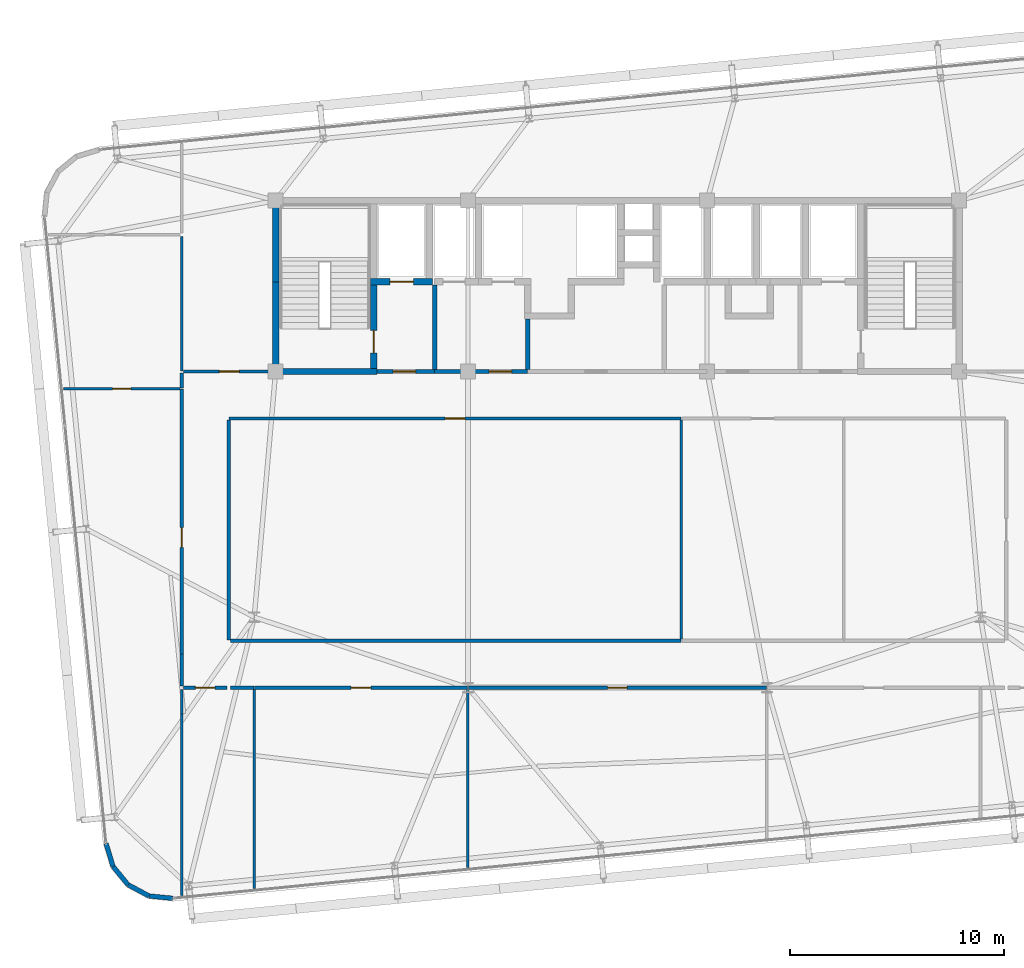
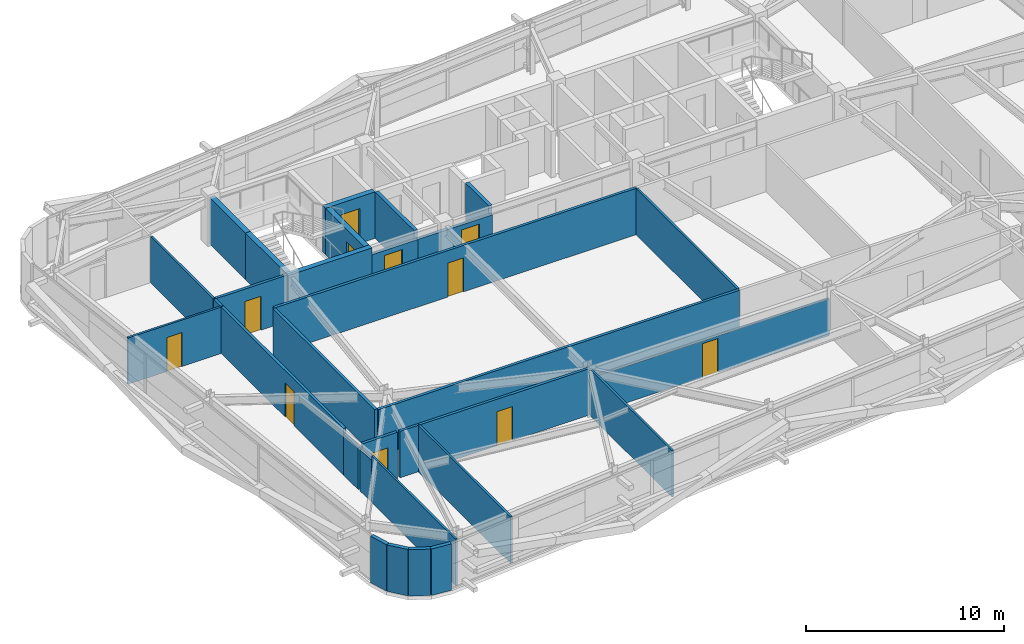
# One storey, part 41 of 47: 31 walls, 11 doors, 11 openings.
"""IFC4 building model written with IfcOpenShell, lengths in metres."""

from ifc_helpers import new_model, si_unit, direction, frame, frame_2d, origin, place, context, subcontext, project, spatial, rectangle, extrude, source, transform, mapped, material, layer, layer_set, type_object, element, fill, save


model = new_model("IFC4")

# Units and contexts
model_context = context("Model", 3, precision=1e-05, world=origin(), true_north=direction((0.0, 1.0)))
body_context = subcontext(model_context, "Body", "Model", "MODEL_VIEW")
ifc_project = project(units=[si_unit("LENGTHUNIT", "METRE"), si_unit("AREAUNIT", "SQUARE_METRE"), si_unit("VOLUMEUNIT", "CUBIC_METRE"), si_unit("PLANEANGLEUNIT", "RADIAN"), si_unit("MASSUNIT", "GRAM", prefix="KILO")], contexts=[model_context])

# Site, building, storey
site_placement = place(None, origin())
site = spatial("IfcSite", under=ifc_project, at=site_placement, CompositionType="ELEMENT")
building_placement = place(site_placement, origin())
building = spatial("IfcBuilding", under=site, at=building_placement, Name="Taldren Reach Tower", CompositionType="ELEMENT")
storey_placement = place(building_placement, frame((0.0, 0.0, 109.199951171875)))
storey = spatial("IfcBuildingStorey", under=building, at=storey_placement, Name="L33", CompositionType="ELEMENT", Elevation=109.199951171875)

# Walls
ifc_material_1 = material(Name="Pale Champagne Anodised Aluminium Cladding", Category="aluminium")
ifc_layer_1 = layer(ifc_material_1, 0.04, Name="Pale Champagne Anodised Aluminium Cladding", Category="aluminium")
ifc_material_2 = material(Name="Mineral Wool Acoustic Insulation", Category="insulation")
ifc_layer_2 = layer(ifc_material_2, 0.06, Name="Mineral Wool Acoustic Insulation", Category="insulation")
ifc_material_3 = material(Name="Steel Gr 350 (C350L0)", Category="steel")
ifc_layer_3 = layer(ifc_material_3, 0.12, Name="Steel Gr 350 (C350L0)", Category="steel")
ifc_layer_set_1 = layer_set([ifc_layer_1, ifc_layer_2, ifc_layer_3], Name="Pale Champagne Aluminium Cladding and Steel Gr 350 Stud Framing")
wall_type_1 = type_object("IfcWallType", Name="EW-CRN-220", PredefinedType="SOLIDWALL", material=ifc_layer_set_1)
shared_shape_1 = source(origin(), body_context, "Body", "SweptSolid", [
    extrude(rectangle(XDim=1.115966796875, YDim=0.219970703125, at=frame_2d((0.55810546875, 0.0))), origin(), (0.0, 0.0, 1.0), 2.8701171875),
])
for number, where, z_axis, x_axis, name in (
    (1, (11.062255859375, 1.90185546875, 0.0), (0.0, 0.0, 1.0), (0.289855603468, -0.957070388811, 0.0), "Rounded-corner pale-metal facade wall L33-SW1"),
    (2, (11.3857421875, 0.833740234375, 0.0), (0.0, 0.0, 1.0), (0.633988016432, -0.773342870285, 0.0), "Rounded-corner pale-metal facade wall L33-SW2"),
    (3, (13.0771484375, -0.5556640625, 0.0), (0.0, 0.0, 1.0), (0.995142755671, -0.09844234778, 0.0), "Rounded-corner pale-metal facade wall L33-SW4"),
):
    element("IfcWall", number, at=place(storey_placement, frame(where, z_axis=z_axis, x_axis=x_axis)), inside=storey, type_object=wall_type_1, Name=name, PredefinedType="SOLIDWALL", context=body_context, shape_type="MappedRepresentation", body=[
        mapped(shared_shape_1, transform((0.0, 0.0, 0.0), scale=1.0)),
    ])
shared_shape_2 = source(origin(), body_context, "Body", "SweptSolid", [
    extrude(rectangle(XDim=1.11572265625, YDim=0.219970703125, at=frame_2d((0.557861328125, 0.0))), origin(), (0.0, 0.0, 1.0), 2.8701171875),
])
wall_1_placement = place(storey_placement, frame((12.09326171875, -0.029296875, 0.0), z_axis=(0.0, 0.0, 1.0), x_axis=(0.881746547635, -0.471723463201, 0.0)))
element("IfcWall", 4, at=wall_1_placement, inside=storey, type_object=wall_type_1, Name="Rounded-corner pale-metal facade wall L33-SW3", PredefinedType="SOLIDWALL", context=body_context, shape_type="MappedRepresentation", body=[
    mapped(shared_shape_2, transform((0.0, 0.0, 0.0), scale=1.0)),
])
ifc_material_4 = material(Name="Fire-Rated Acoustic Plasterboard Stud Wall", Category="gypsum")
ifc_layer_4 = layer(ifc_material_4, 0.159912109375)
ifc_layer_set_2 = layer_set([ifc_layer_4], Name="Fire-Rated Acoustic Plasterboard Stud Wall")
wall_type_2 = type_object("IfcWallType", Name="IW-FIRE-160", PredefinedType="PARTITIONING", material=ifc_layer_set_2)
shared_shape_3 = source(origin(), body_context, "Body", "SweptSolid", [
    extrude(rectangle(XDim=10.2998046875, YDim=0.159912109375, at=frame_2d((5.14990234375, 0.0))), origin(), (0.0, 0.0, 1.0), 2.8701171875),
])
wall_2_placement = place(storey_placement, frame((16.800048828125, 21.719970703125, 0.0), z_axis=(0.0, 0.0, 1.0), x_axis=(0.0, -1.0, 0.0)))
element("IfcWall", 5, at=wall_2_placement, inside=storey, type_object=wall_type_2, Name="Interior Partition Wall W-INT-L33-046", PredefinedType="PARTITIONING", context=body_context, shape_type="MappedRepresentation", body=[
    mapped(shared_shape_3, transform((0.0, 0.0, 0.0), scale=1.0)),
])

# Wall, opening, door
shared_shape_4 = source(origin(), body_context, "Body", "SweptSolid", [
    extrude(rectangle(XDim=9.95947265625, YDim=0.159912109375, at=frame_2d((4.979736328125, 0.0))), origin(), (0.0, 0.0, 1.0), 2.8701171875),
])
wall_3_placement = place(storey_placement, frame((27.979736328125, 9.199951171875, 0.0), z_axis=(0.0, 0.0, 1.0), x_axis=(-1.0, 0.0, 0.0)))
wall_3 = element("IfcWall", 6, at=wall_3_placement, inside=storey, type_object=wall_type_2, Name="Interior Partition Wall W-INT-L33-061", PredefinedType="PARTITIONING", context=body_context, shape_type="MappedRepresentation", body=[
    mapped(shared_shape_4, transform((0.0, 0.0, 0.0), scale=1.0)),
])
shared_shape_5 = source(origin(), body_context, "Body", "SweptSolid", [
    extrude(rectangle(XDim=0.919921875, YDim=2.10009765625, at=frame_2d((0.4599609375, 1.050048828125))), frame((0.0, 0.08984375, 0.0), z_axis=(0.0, -1.0, 0.0), x_axis=(1.0, 0.0, 0.0)), (0.0, 0.0, 1.0), 0.179931640625),
])
opening_1_placement = place(wall_3_placement, frame((4.519775390625, 0.0, 0.0)))
opening_1 = element("IfcOpeningElement", 7, at=opening_1_placement, cuts=wall_3, Name="Opening DI-092", PredefinedType="OPENING", context=body_context, shape_type="MappedRepresentation", body=[
    mapped(shared_shape_5, transform((0.0, 0.0, 0.0), scale=1.0)),
])
ifc_material_5 = material(Name="Solid-Core Timber Suite Door", Category="wood")
door_type_1 = type_object("IfcDoorType", Name="ID-INT-092", OperationType="NOTDEFINED", PredefinedType="DOOR", material=ifc_material_5)
shared_shape_6 = source(origin(), body_context, "Body", "SweptSolid", [
    extrude(rectangle(XDim=0.919921875, YDim=2.10009765625, at=frame_2d((0.4599609375, 1.050048828125))), frame((0.0, 0.02490234375, 0.0), z_axis=(0.0, -1.0, 0.0), x_axis=(1.0, 0.0, 0.0)), (0.0, 0.0, 1.0), 0.050048828125),
])
door_1_placement = place(opening_1_placement, origin())
door_1 = element("IfcDoor", 8, at=door_1_placement, inside=storey, type_object=door_type_1, Name="Interior Door DR-L33-016", OperationType="SINGLE_SWING_LEFT", OverallHeight=2.10009765625, OverallWidth=0.919921875, PredefinedType="DOOR", context=body_context, shape_type="MappedRepresentation", body=[
    mapped(shared_shape_6, transform((0.0, 0.0, 0.0), scale=1.0)),
])
fill(opening_1, door_1)

shared_shape_7 = source(origin(), body_context, "Body", "SweptSolid", [
    extrude(rectangle(XDim=2.0400390625, YDim=0.159912109375, at=frame_2d((1.02001953125, 0.0))), origin(), (0.0, 0.0, 1.0), 2.8701171875),
])
wall_4_placement = place(storey_placement, frame((16.719970703125, 9.199951171875, 0.0), z_axis=(0.0, 0.0, 1.0), x_axis=(-1.0, 0.0, 0.0)))
wall_4 = element("IfcWall", 9, at=wall_4_placement, inside=storey, type_object=wall_type_2, Name="Interior Partition Wall W-INT-L33-050", PredefinedType="PARTITIONING", context=body_context, shape_type="MappedRepresentation", body=[
    mapped(shared_shape_7, transform((0.0, 0.0, 0.0), scale=1.0)),
])
opening_2_placement = place(wall_4_placement, frame((0.56005859375, 0.0, 0.0)))
opening_2 = element("IfcOpeningElement", 10, at=opening_2_placement, cuts=wall_4, Name="Opening DI-092", PredefinedType="OPENING", context=body_context, shape_type="MappedRepresentation", body=[
    mapped(shared_shape_5, transform((0.0, 0.0, 0.0), scale=1.0)),
])
door_2_placement = place(opening_2_placement, origin())
door_2 = element("IfcDoor", 11, at=door_2_placement, inside=storey, type_object=door_type_1, Name="Interior Door DR-L33-011", OperationType="SINGLE_SWING_RIGHT", OverallHeight=2.10009765625, OverallWidth=0.919921875, PredefinedType="DOOR", context=body_context, shape_type="MappedRepresentation", body=[
    mapped(shared_shape_6, transform((0.0, 0.0, 0.0), scale=1.0)),
])
fill(opening_2, door_2)

# Wall
shared_shape_8 = source(origin(), body_context, "Body", "SweptSolid", [
    extrude(rectangle(XDim=1.099853515625, YDim=0.159912109375, at=frame_2d((0.5498046875, 0.0))), origin(), (0.0, 0.0, 1.0), 2.8701171875),
])
wall_5_placement = place(storey_placement, frame((17.979736328125, 9.199951171875, 0.0), z_axis=(0.0, 0.0, 1.0), x_axis=(-1.0, 0.0, 0.0)))
element("IfcWall", 12, at=wall_5_placement, inside=storey, type_object=wall_type_2, Name="Interior Partition Wall W-INT-L33-060", PredefinedType="PARTITIONING", context=body_context, shape_type="MappedRepresentation", body=[
    mapped(shared_shape_8, transform((0.0, 0.0, 0.0), scale=1.0)),
])

# Wall, opening, door
shared_shape_9 = source(origin(), body_context, "Body", "SweptSolid", [
    extrude(rectangle(XDim=13.95947265625, YDim=0.159912109375, at=frame_2d((6.979736328125, 0.0))), origin(), (0.0, 0.0, 1.0), 2.26806640625),
])
wall_6_placement = place(storey_placement, frame((41.979736328125, 9.199951171875, 0.0), z_axis=(0.0, 0.0, 1.0), x_axis=(-1.0, 0.0, 0.0)))
wall_6 = element("IfcWall", 13, at=wall_6_placement, inside=storey, type_object=wall_type_2, Name="Interior Partition Wall W-INT-L33-062", PredefinedType="PARTITIONING", context=body_context, shape_type="MappedRepresentation", body=[
    mapped(shared_shape_9, transform((0.0, 0.0, 0.0), scale=1.0)),
])
opening_3_placement = place(wall_6_placement, frame((6.519775390625, 0.0, 0.0)))
opening_3 = element("IfcOpeningElement", 14, at=opening_3_placement, cuts=wall_6, Name="Opening DI-092", PredefinedType="OPENING", context=body_context, shape_type="MappedRepresentation", body=[
    mapped(shared_shape_5, transform((0.0, 0.0, 0.0), scale=1.0)),
])
door_3_placement = place(opening_3_placement, origin())
door_3 = element("IfcDoor", 15, at=door_3_placement, inside=storey, type_object=door_type_1, Name="Interior Door DR-L33-017", OperationType="SINGLE_SWING_RIGHT", OverallHeight=2.10009765625, OverallWidth=0.919921875, PredefinedType="DOOR", context=body_context, shape_type="MappedRepresentation", body=[
    mapped(shared_shape_6, transform((0.0, 0.0, 0.0), scale=1.0)),
])
fill(opening_3, door_3)

# Walls
ifc_material_6 = material(Name="Insulated Residential Stud Partition", Category="gypsum")
ifc_layer_5 = layer(ifc_material_6, 0.1201171875)
ifc_layer_set_3 = layer_set([ifc_layer_5], Name="Insulated Residential Stud Partition")
wall_type_3 = type_object("IfcWallType", Name="IW-PART-120", PredefinedType="PARTITIONING", material=ifc_layer_set_3)
shared_shape_10 = source(origin(), body_context, "Body", "SweptSolid", [
    extrude(rectangle(XDim=10.239990234375, YDim=0.1201171875, at=frame_2d((5.1201171875, 0.0))), origin(), (0.0, 0.0, 1.0), 2.8701171875),
])
wall_7_placement = place(storey_placement, frame((38.0, 21.719970703125, 0.0), z_axis=(0.0, 0.0, 1.0), x_axis=(0.0, -1.0, 0.0)))
element("IfcWall", 16, at=wall_7_placement, inside=storey, type_object=wall_type_3, Name="Interior Partition Wall W-INT-L33-065", PredefinedType="PARTITIONING", context=body_context, shape_type="MappedRepresentation", body=[
    mapped(shared_shape_10, transform((0.0, 0.0, 0.0), scale=1.0)),
])
ifc_material_7 = material(Name="Concrete S65 (65 MPa)", Category="concrete")
ifc_layer_6 = layer(ifc_material_7, 0.300048828125)
ifc_layer_set_4 = layer_set([ifc_layer_6], Name="Concrete S65 (65 MPa)")
wall_type_4 = type_object("IfcWallType", Name="IW-CORE-300", PredefinedType="SHEAR", material=ifc_layer_set_4)
shared_shape_11 = source(origin(), body_context, "Body", "SweptSolid", [
    extrude(rectangle(XDim=4.050048828125, YDim=0.300048828125, at=frame_2d((2.02490234375, 0.0))), origin(), (0.0, 0.0, 1.0), 2.8701171875),
])
wall_8_placement = place(storey_placement, frame((19.0, 24.14990234375, 0.0), z_axis=(0.0, 0.0, 1.0), x_axis=(0.0, 1.0, 0.0)))
element("IfcWall", 17, at=wall_8_placement, inside=storey, type_object=wall_type_4, Name="Rear Core Shear Wall W-CORE-L33-WEST1", PredefinedType="SHEAR", context=body_context, shape_type="MappedRepresentation", body=[
    mapped(shared_shape_11, transform((0.0, 0.0, 0.0), scale=1.0)),
])
shared_shape_12 = source(origin(), body_context, "Body", "SweptSolid", [
    extrude(rectangle(XDim=3.650146484375, YDim=0.300048828125, at=frame_2d((1.8251953125, 0.0))), origin(), (0.0, 0.0, 1.0), 2.8701171875),
])
wall_9_placement = place(storey_placement, frame((19.0, 28.199951171875, 0.0), z_axis=(0.0, 0.0, 1.0), x_axis=(0.0, 1.0, 0.0)))
element("IfcWall", 18, at=wall_9_placement, inside=storey, type_object=wall_type_4, Name="Rear Core Shear Wall W-CORE-L33-WEST2", PredefinedType="SHEAR", context=body_context, shape_type="MappedRepresentation", body=[
    mapped(shared_shape_12, transform((0.0, 0.0, 0.0), scale=1.0)),
])

# Wall, opening, door
shared_shape_13 = source(origin(), body_context, "Body", "SweptSolid", [
    extrude(rectangle(XDim=3.900146484375, YDim=0.300048828125, at=frame_2d((1.9501953125, 0.0))), origin(), (0.0, 0.0, 1.0), 2.8701171875),
])
wall_10_placement = place(storey_placement, frame((23.60009765625, 24.14990234375, 0.0), z_axis=(0.0, 0.0, 1.0), x_axis=(0.0, 1.0, 0.0)))
wall_10 = element("IfcWall", 19, at=wall_10_placement, inside=storey, type_object=wall_type_4, Name="Rear Core Shear Wall W-INT-L33-002", PredefinedType="SHEAR", context=body_context, shape_type="MappedRepresentation", body=[
    mapped(shared_shape_13, transform((0.0, 0.0, 0.0), scale=1.0)),
])
shared_shape_14 = source(origin(), body_context, "Body", "SweptSolid", [
    extrude(rectangle(XDim=1.050048828125, YDim=2.10009765625, at=frame_2d((0.52490234375, 1.050048828125))), frame((0.0, 0.16015625, 0.0), z_axis=(0.0, -1.0, 0.0), x_axis=(1.0, 0.0, 0.0)), (0.0, 0.0, 1.0), 0.320068359375),
])
opening_4_placement = place(wall_10_placement, frame((0.72509765625, 0.0, 0.0)))
opening_4 = element("IfcOpeningElement", 20, at=opening_4_placement, cuts=wall_10, Name="Opening DF-105", PredefinedType="OPENING", context=body_context, shape_type="MappedRepresentation", body=[
    mapped(shared_shape_14, transform((0.0, 0.0, 0.0), scale=1.0)),
])
ifc_material_8 = material(Name="Fire-Rated Care and Stair Exit Door")
door_type_2 = type_object("IfcDoorType", Name="ID-FIRE-105", OperationType="NOTDEFINED", PredefinedType="DOOR", material=ifc_material_8)
shared_shape_15 = source(origin(), body_context, "Body", "SweptSolid", [
    extrude(rectangle(XDim=1.050048828125, YDim=2.10009765625, at=frame_2d((0.52490234375, 1.050048828125))), frame((0.0, 0.02490234375, 0.0), z_axis=(0.0, -1.0, 0.0), x_axis=(1.0, 0.0, 0.0)), (0.0, 0.0, 1.0), 0.050048828125),
])
door_4_placement = place(opening_4_placement, origin())
door_4 = element("IfcDoor", 21, at=door_4_placement, inside=storey, type_object=door_type_2, Name="Fire Exit Stair Door DR-L33-001", OperationType="SINGLE_SWING_LEFT", OverallHeight=2.10009765625, OverallWidth=1.050048828125, PredefinedType="DOOR", context=body_context, shape_type="MappedRepresentation", body=[
    mapped(shared_shape_15, transform((0.0, 0.0, 0.0), scale=1.0)),
])
fill(opening_4, door_4)

# Wall
shared_shape_16 = source(origin(), body_context, "Body", "SweptSolid", [
    extrude(rectangle(XDim=4.89990234375, YDim=0.300048828125, at=frame_2d((2.449951171875, 0.0))), origin(), (0.0, 0.0, 1.0), 2.8701171875),
])
wall_11_placement = place(storey_placement, frame((18.85009765625, 24.0, 0.0), z_axis=(0.0, 0.0, 1.0), x_axis=(1.0, 0.0, 0.0)))
element("IfcWall", 22, at=wall_11_placement, inside=storey, type_object=wall_type_4, Name="Rear Core Shear Wall W-INT-L33-003", PredefinedType="SHEAR", context=body_context, shape_type="MappedRepresentation", body=[
    mapped(shared_shape_16, transform((0.0, 0.0, 0.0), scale=1.0)),
])

# Wall, opening, door
shared_shape_17 = source(origin(), body_context, "Body", "SweptSolid", [
    extrude(rectangle(XDim=2.900146484375, YDim=0.300048828125, at=frame_2d((1.4501953125, 0.0))), origin(), (0.0, 0.0, 1.0), 2.8701171875),
])
wall_12_placement = place(storey_placement, frame((23.449951171875, 28.199951171875, 0.0), z_axis=(0.0, 0.0, 1.0), x_axis=(1.0, 0.0, 0.0)))
wall_12 = element("IfcWall", 23, at=wall_12_placement, inside=storey, type_object=wall_type_4, Name="Rear Core Shear Wall W-INT-L33-004", PredefinedType="SHEAR", context=body_context, shape_type="MappedRepresentation", body=[
    mapped(shared_shape_17, transform((0.0, 0.0, 0.0), scale=1.0)),
])
shared_shape_18 = source(origin(), body_context, "Body", "SweptSolid", [
    extrude(rectangle(XDim=1.10009765625, YDim=2.14990234375, at=frame_2d((0.550048828125, 1.074951171875))), frame((0.0, 0.16015625, 0.0), z_axis=(0.0, -1.0, 0.0), x_axis=(1.0, 0.0, 0.0)), (0.0, 0.0, 1.0), 0.320068359375),
])
opening_5_placement = place(wall_12_placement, frame((0.89990234375, 0.0, 0.0)))
opening_5 = element("IfcOpeningElement", 24, at=opening_5_placement, cuts=wall_12, Name="Opening LD-FL1", PredefinedType="OPENING", context=body_context, shape_type="MappedRepresentation", body=[
    mapped(shared_shape_18, transform((0.0, 0.0, 0.0), scale=1.0)),
])
ifc_material_9 = material(Name="Stainless Steel Gr 316 Emergency Lift Landing Door", Category="steel")
door_type_3 = type_object("IfcDoorType", Name="LD-EMG-110", OperationType="SLIDING_TO_LEFT", PredefinedType="DOOR", material=ifc_material_9)
shared_shape_19 = source(origin(), body_context, "Body", "SweptSolid", [
    extrude(rectangle(XDim=1.10009765625, YDim=2.14990234375, at=frame_2d((0.550048828125, 1.074951171875))), frame((0.0, 0.02490234375, 0.0), z_axis=(0.0, -1.0, 0.0), x_axis=(1.0, 0.0, 0.0)), (0.0, 0.0, 1.0), 0.050048828125),
])
door_5_placement = place(opening_5_placement, origin())
door_5 = element("IfcDoor", 25, at=door_5_placement, inside=storey, type_object=door_type_3, Name="Lift Landing Door LD-FL1-L33", OperationType="SLIDING_TO_LEFT", OverallHeight=2.14990234375, OverallWidth=1.10009765625, PredefinedType="DOOR", context=body_context, shape_type="MappedRepresentation", body=[
    mapped(shared_shape_19, transform((0.0, 0.0, 0.0), scale=1.0)),
])
fill(opening_5, door_5)

# Wall
ifc_material_10 = material(Name="Concrete S50 (50 MPa)", Category="concrete")
ifc_layer_7 = layer(ifc_material_10, 0.199951171875)
ifc_layer_set_5 = layer_set([ifc_layer_7], Name="Concrete S50 (50 MPa)")
wall_type_5 = type_object("IfcWallType", Name="IW-CORE-200", PredefinedType="SOLIDWALL", material=ifc_layer_set_5)
shared_shape_20 = source(origin(), body_context, "Body", "SweptSolid", [
    extrude(rectangle(XDim=3.949951171875, YDim=0.199951171875, at=frame_2d((1.97509765625, 0.0))), origin(), (0.0, 0.0, 1.0), 2.8701171875),
])
wall_13_placement = place(storey_placement, frame((26.449951171875, 24.10009765625, 0.0), z_axis=(0.0, 0.0, 1.0), x_axis=(0.0, 1.0, 0.0)))
element("IfcWall", 26, at=wall_13_placement, inside=storey, type_object=wall_type_5, Name="Rear Core Shear Wall W-INT-L33-006", PredefinedType="SOLIDWALL", context=body_context, shape_type="MappedRepresentation", body=[
    mapped(shared_shape_20, transform((0.0, 0.0, 0.0), scale=1.0)),
])

# Wall, opening, door
shared_shape_21 = source(origin(), body_context, "Body", "SweptSolid", [
    extrude(rectangle(XDim=2.699951171875, YDim=0.199951171875, at=frame_2d((1.35009765625, 0.0))), origin(), (0.0, 0.0, 1.0), 2.41015625),
])
wall_14_placement = place(storey_placement, frame((23.75, 24.0, 0.0), z_axis=(0.0, 0.0, 1.0), x_axis=(1.0, 0.0, 0.0)))
wall_14 = element("IfcWall", 27, at=wall_14_placement, inside=storey, type_object=wall_type_5, Name="Rear Core Shear Wall W-INT-L33-007", PredefinedType="SOLIDWALL", context=body_context, shape_type="MappedRepresentation", body=[
    mapped(shared_shape_21, transform((0.0, 0.0, 0.0), scale=1.0)),
])
shared_shape_22 = source(origin(), body_context, "Body", "SweptSolid", [
    extrude(rectangle(XDim=1.050048828125, YDim=2.10009765625, at=frame_2d((0.52490234375, 1.050048828125))), frame((0.0, 0.10986328125, 0.0), z_axis=(0.0, -1.0, 0.0), x_axis=(1.0, 0.0, 0.0)), (0.0, 0.0, 1.0), 0.219970703125),
])
opening_6_placement = place(wall_14_placement, frame((0.75, 0.0, 0.0)))
opening_6 = element("IfcOpeningElement", 28, at=opening_6_placement, cuts=wall_14, Name="Opening DF-105", PredefinedType="OPENING", context=body_context, shape_type="MappedRepresentation", body=[
    mapped(shared_shape_22, transform((0.0, 0.0, 0.0), scale=1.0)),
])
door_6_placement = place(opening_6_placement, origin())
door_6 = element("IfcDoor", 29, at=door_6_placement, inside=storey, type_object=door_type_2, Name="Interior Door DR-L33-002", OperationType="SINGLE_SWING_LEFT", OverallHeight=2.10009765625, OverallWidth=1.050048828125, PredefinedType="DOOR", context=body_context, shape_type="MappedRepresentation", body=[
    mapped(shared_shape_15, transform((0.0, 0.0, 0.0), scale=1.0)),
])
fill(opening_6, door_6)

# Wall
shared_shape_23 = source(origin(), body_context, "Body", "SweptSolid", [
    extrude(rectangle(XDim=2.349853515625, YDim=0.199951171875, at=frame_2d((1.1748046875, 0.0))), origin(), (0.0, 0.0, 1.0), 2.8701171875),
])
wall_15_placement = place(storey_placement, frame((30.800048828125, 26.449951171875, 0.0), z_axis=(0.0, 0.0, 1.0), x_axis=(0.0, -1.0, 0.0)))
element("IfcWall", 30, at=wall_15_placement, inside=storey, type_object=wall_type_5, Name="Rear Core Shear Wall W-INT-L33-032", PredefinedType="SOLIDWALL", context=body_context, shape_type="MappedRepresentation", body=[
    mapped(shared_shape_23, transform((0.0, 0.0, 0.0), scale=1.0)),
])

# Wall, opening, door
shared_shape_24 = source(origin(), body_context, "Body", "SweptSolid", [
    extrude(rectangle(XDim=4.35009765625, YDim=0.199951171875, at=frame_2d((2.175048828125, 0.0))), origin(), (0.0, 0.0, 1.0), 2.41015625),
])
wall_16_placement = place(storey_placement, frame((30.800048828125, 24.0, 0.0), z_axis=(0.0, 0.0, 1.0), x_axis=(-1.0, 0.0, 0.0)))
wall_16 = element("IfcWall", 31, at=wall_16_placement, inside=storey, type_object=wall_type_5, Name="Rear Core Shear Wall W-INT-L33-033", PredefinedType="SOLIDWALL", context=body_context, shape_type="MappedRepresentation", body=[
    mapped(shared_shape_24, transform((0.0, 0.0, 0.0), scale=1.0)),
])
opening_7_placement = place(wall_16_placement, frame((0.75, 0.0, 0.0)))
opening_7 = element("IfcOpeningElement", 32, at=opening_7_placement, cuts=wall_16, Name="Opening DF-105", PredefinedType="OPENING", context=body_context, shape_type="MappedRepresentation", body=[
    mapped(shared_shape_22, transform((0.0, 0.0, 0.0), scale=1.0)),
])
door_7_placement = place(opening_7_placement, frame((1.050048828125, 0.0, 0.0), z_axis=(0.0, 0.0, 1.0), x_axis=(-1.0, 0.0, 0.0)))
door_7 = element("IfcDoor", 33, at=door_7_placement, inside=storey, type_object=door_type_2, Name="Interior Door DR-L33-005", OperationType="SINGLE_SWING_RIGHT", OverallHeight=2.10009765625, OverallWidth=1.050048828125, PredefinedType="DOOR", context=body_context, shape_type="MappedRepresentation", body=[
    mapped(shared_shape_15, transform((0.0, 0.0, 0.0), scale=1.0)),
])
fill(opening_7, door_7)

shared_shape_25 = source(origin(), body_context, "Body", "SweptSolid", [
    extrude(rectangle(XDim=21.159423828125, YDim=0.159912109375, at=frame_2d((10.57958984375, 0.0))), origin(), (0.0, 0.0, 1.0), 2.8701171875),
])
wall_17_placement = place(storey_placement, frame((37.979736328125, 21.800048828125, 0.0), z_axis=(0.0, 0.0, 1.0), x_axis=(-1.0, 0.0, 0.0)))
wall_17 = element("IfcWall", 34, at=wall_17_placement, inside=storey, type_object=wall_type_2, Name="Interior Partition Wall W-INT-L33-045", PredefinedType="PARTITIONING", context=body_context, shape_type="MappedRepresentation", body=[
    mapped(shared_shape_25, transform((0.0, 0.0, 0.0), scale=1.0)),
])
opening_8_placement = place(wall_17_placement, frame((10.119873046875, 0.0, 0.0)))
opening_8 = element("IfcOpeningElement", 35, at=opening_8_placement, cuts=wall_17, Name="Opening DI-092", PredefinedType="OPENING", context=body_context, shape_type="MappedRepresentation", body=[
    mapped(shared_shape_5, transform((0.0, 0.0, 0.0), scale=1.0)),
])
door_8_placement = place(opening_8_placement, origin())
door_8 = element("IfcDoor", 36, at=door_8_placement, inside=storey, type_object=door_type_1, Name="Interior Door DR-L33-008", OperationType="SINGLE_SWING_LEFT", OverallHeight=2.10009765625, OverallWidth=0.919921875, PredefinedType="DOOR", context=body_context, shape_type="MappedRepresentation", body=[
    mapped(shared_shape_6, transform((0.0, 0.0, 0.0), scale=1.0)),
])
fill(opening_8, door_8)

# Wall
shared_shape_26 = source(origin(), body_context, "Body", "SweptSolid", [
    extrude(rectangle(XDim=1.498291015625, YDim=0.159912109375, at=frame_2d((0.7490234375, 0.0))), origin(), (0.0, 0.0, 1.0), 2.56298828125),
])
wall_18_placement = place(storey_placement, frame((14.60009765625, 9.280029296875, 0.0), z_axis=(0.0, 0.0, 1.0), x_axis=(0.0, 1.0, 0.0)))
element("IfcWall", 37, at=wall_18_placement, inside=storey, type_object=wall_type_2, Name="Interior Partition Wall W-INT-L33-052", PredefinedType="PARTITIONING", context=body_context, shape_type="MappedRepresentation", body=[
    mapped(shared_shape_26, transform((0.0, 0.0, 0.0), scale=1.0)),
])

# Wall, opening, door
shared_shape_27 = source(origin(), body_context, "Body", "SweptSolid", [
    extrude(rectangle(XDim=12.4013671875, YDim=0.159912109375, at=frame_2d((6.20068359375, 0.0))), origin(), (0.0, 0.0, 1.0), 2.8701171875),
])
wall_19_placement = place(storey_placement, frame((14.60009765625, 10.7783203125, 0.0), z_axis=(0.0, 0.0, 1.0), x_axis=(0.0, 1.0, 0.0)))
wall_19 = element("IfcWall", 38, at=wall_19_placement, inside=storey, type_object=wall_type_2, Name="Interior Partition Wall W-INT-L33-052 part 2", PredefinedType="PARTITIONING", context=body_context, shape_type="MappedRepresentation", body=[
    mapped(shared_shape_27, transform((0.0, 0.0, 0.0), scale=1.0)),
])
opening_9_placement = place(wall_19_placement, frame((4.991455078125, 0.0, 0.0)))
opening_9 = element("IfcOpeningElement", 39, at=opening_9_placement, cuts=wall_19, Name="Opening DI-092", PredefinedType="OPENING", context=body_context, shape_type="MappedRepresentation", body=[
    mapped(shared_shape_5, transform((0.0, 0.0, 0.0), scale=1.0)),
])
door_9_placement = place(opening_9_placement, origin())
door_9 = element("IfcDoor", 40, at=door_9_placement, inside=storey, type_object=door_type_1, Name="Interior Door DR-L33-013", OperationType="SINGLE_SWING_RIGHT", OverallHeight=2.10009765625, OverallWidth=0.919921875, PredefinedType="DOOR", context=body_context, shape_type="MappedRepresentation", body=[
    mapped(shared_shape_6, transform((0.0, 0.0, 0.0), scale=1.0)),
])
fill(opening_9, door_9)

# Wall
shared_shape_28 = source(origin(), body_context, "Body", "SweptSolid", [
    extrude(rectangle(XDim=0.69970703125, YDim=0.159912109375, at=frame_2d((0.349853515625, 0.0))), origin(), (0.0, 0.0, 1.0), 2.8701171875),
])
wall_20_placement = place(storey_placement, frame((14.60009765625, 23.22021484375, 0.0), z_axis=(0.0, 0.0, 1.0), x_axis=(0.0, 1.0, 0.0)))
element("IfcWall", 41, at=wall_20_placement, inside=storey, type_object=wall_type_2, Name="Interior Partition Wall W-INT-L33-053", PredefinedType="PARTITIONING", context=body_context, shape_type="MappedRepresentation", body=[
    mapped(shared_shape_28, transform((0.0, 0.0, 0.0), scale=1.0)),
])

# Wall, opening, door
shared_shape_29 = source(origin(), body_context, "Body", "SweptSolid", [
    extrude(rectangle(XDim=4.170166015625, YDim=0.159912109375, at=frame_2d((2.0849609375, 0.0))), origin(), (0.0, 0.0, 1.0), 2.8701171875),
])
wall_21_placement = place(storey_placement, frame((14.679931640625, 24.0, 0.0), z_axis=(0.0, 0.0, 1.0), x_axis=(1.0, 0.0, 0.0)))
wall_21 = element("IfcWall", 42, at=wall_21_placement, inside=storey, type_object=wall_type_2, Name="Interior Partition Wall W-INT-L33-055", PredefinedType="PARTITIONING", context=body_context, shape_type="MappedRepresentation", body=[
    mapped(shared_shape_29, transform((0.0, 0.0, 0.0), scale=1.0)),
])
opening_10_placement = place(wall_21_placement, frame((1.68994140625, 0.0, 0.0)))
opening_10 = element("IfcOpeningElement", 43, at=opening_10_placement, cuts=wall_21, Name="Opening DI-092", PredefinedType="OPENING", context=body_context, shape_type="MappedRepresentation", body=[
    mapped(shared_shape_5, transform((0.0, 0.0, 0.0), scale=1.0)),
])
door_10_placement = place(opening_10_placement, origin())
door_10 = element("IfcDoor", 44, at=door_10_placement, inside=storey, type_object=door_type_1, Name="Interior Door DR-L33-015", OperationType="SINGLE_SWING_RIGHT", OverallHeight=2.10009765625, OverallWidth=0.919921875, PredefinedType="DOOR", context=body_context, shape_type="MappedRepresentation", body=[
    mapped(shared_shape_6, transform((0.0, 0.0, 0.0), scale=1.0)),
])
fill(opening_10, door_10)

# Walls
shared_shape_30 = source(origin(), body_context, "Body", "SweptSolid", [
    extrude(rectangle(XDim=21.099853515625, YDim=0.159912109375, at=frame_2d((10.5498046875, 0.0))), origin(), (0.0, 0.0, 1.0), 2.8701171875),
])
wall_22_placement = place(storey_placement, frame((16.8798828125, 11.39990234375, 0.0), z_axis=(0.0, 0.0, 1.0), x_axis=(1.0, 0.0, 0.0)))
element("IfcWall", 45, at=wall_22_placement, inside=storey, type_object=wall_type_2, Name="Interior Partition Wall W-INT-L33-057", PredefinedType="PARTITIONING", context=body_context, shape_type="MappedRepresentation", body=[
    mapped(shared_shape_30, transform((0.0, 0.0, 0.0), scale=1.0)),
])
shared_shape_31 = source(origin(), body_context, "Body", "SweptSolid", [
    extrude(rectangle(XDim=9.3251953125, YDim=0.1201171875, at=frame_2d((4.66259765625, 0.0))), origin(), (0.0, 0.0, 1.0), 2.8701171875),
])
wall_23_placement = place(storey_placement, frame((18.0, 9.117919921875, 0.0), z_axis=(0.0, 0.0, 1.0), x_axis=(0.0, -1.0, 0.0)))
element("IfcWall", 46, at=wall_23_placement, inside=storey, type_object=wall_type_3, Name="Interior Partition Wall W-INT-L33-067", PredefinedType="PARTITIONING", context=body_context, shape_type="MappedRepresentation", body=[
    mapped(shared_shape_31, transform((0.0, 0.0, 0.0), scale=1.0)),
])
shared_shape_32 = source(origin(), body_context, "Body", "SweptSolid", [
    extrude(rectangle(XDim=8.49951171875, YDim=0.1201171875, at=frame_2d((4.249755859375, 0.0))), origin(), (0.0, 0.0, 1.0), 2.8701171875),
])
wall_24_placement = place(storey_placement, frame((14.60009765625, -0.52490234375, 0.0), z_axis=(0.0, 0.0, 1.0), x_axis=(0.0, 1.0, 0.0)))
element("IfcWall", 47, at=wall_24_placement, inside=storey, type_object=wall_type_3, Name="Interior Partition Wall W-INT-L33-068", PredefinedType="PARTITIONING", context=body_context, shape_type="MappedRepresentation", body=[
    mapped(shared_shape_32, transform((0.0, 0.0, 0.0), scale=1.0)),
])
shared_shape_33 = source(origin(), body_context, "Body", "SweptSolid", [
    extrude(rectangle(XDim=1.143310546875, YDim=0.1201171875, at=frame_2d((0.57177734375, 0.0))), origin(), (0.0, 0.0, 1.0), 2.56298828125),
])
wall_25_placement = place(storey_placement, frame((14.60009765625, 7.974609375, 0.0), z_axis=(0.0, 0.0, 1.0), x_axis=(0.0, 1.0, 0.0)))
element("IfcWall", 48, at=wall_25_placement, inside=storey, type_object=wall_type_3, Name="Interior Partition Wall W-INT-L33-068 part 2", PredefinedType="PARTITIONING", context=body_context, shape_type="MappedRepresentation", body=[
    mapped(shared_shape_33, transform((0.0, 0.0, 0.0), scale=1.0)),
])
shared_shape_34 = source(origin(), body_context, "Body", "SweptSolid", [
    extrude(rectangle(XDim=8.3486328125, YDim=0.1201171875, at=frame_2d((4.17431640625, 0.0))), origin(), (0.0, 0.0, 1.0), 2.8701171875),
])
wall_26_placement = place(storey_placement, frame((28.0, 9.1201171875, 0.0), z_axis=(0.0, 0.0, 1.0), x_axis=(0.0, -1.0, 0.0)))
element("IfcWall", 49, at=wall_26_placement, inside=storey, type_object=wall_type_3, Name="Interior Partition Wall W-INT-L33-069", PredefinedType="PARTITIONING", context=body_context, shape_type="MappedRepresentation", body=[
    mapped(shared_shape_34, transform((0.0, 0.0, 0.0), scale=1.0)),
])

# Wall, opening, door
shared_shape_35 = source(origin(), body_context, "Body", "SweptSolid", [
    extrude(rectangle(XDim=5.44384765625, YDim=0.1201171875, at=frame_2d((2.721923828125, 0.0))), origin(), (0.0, 0.0, 1.0), 2.8701171875),
])
wall_27_placement = place(storey_placement, frame((9.07421875, 23.199951171875, 0.0), z_axis=(0.0, 0.0, 1.0), x_axis=(1.0, 0.0, 0.0)))
wall_27 = element("IfcWall", 50, at=wall_27_placement, inside=storey, type_object=wall_type_3, Name="Interior Partition Wall W-INT-L33-073", PredefinedType="PARTITIONING", context=body_context, shape_type="MappedRepresentation", body=[
    mapped(shared_shape_35, transform((0.0, 0.0, 0.0), scale=1.0)),
])
shared_shape_36 = source(origin(), body_context, "Body", "SweptSolid", [
    extrude(rectangle(XDim=0.860107421875, YDim=2.10009765625, at=frame_2d((0.43017578125, 1.050048828125))), frame((0.0, 0.070068359375, 0.0), z_axis=(0.0, -1.0, 0.0), x_axis=(1.0, 0.0, 0.0)), (0.0, 0.0, 1.0), 0.14013671875),
])
opening_11_placement = place(wall_27_placement, frame((2.2919921875, 0.0, 0.0)))
opening_11 = element("IfcOpeningElement", 51, at=opening_11_placement, cuts=wall_27, Name="Opening DI-086", PredefinedType="OPENING", context=body_context, shape_type="MappedRepresentation", body=[
    mapped(shared_shape_36, transform((0.0, 0.0, 0.0), scale=1.0)),
])
ifc_material_11 = material(Name="Timber Bathroom Door", Category="wood")
door_type_4 = type_object("IfcDoorType", Name="ID-INT-086", OperationType="NOTDEFINED", PredefinedType="DOOR", material=ifc_material_11)
shared_shape_37 = source(origin(), body_context, "Body", "SweptSolid", [
    extrude(rectangle(XDim=0.860107421875, YDim=2.10009765625, at=frame_2d((0.43017578125, 1.050048828125))), frame((0.0, 0.02490234375, 0.0), z_axis=(0.0, -1.0, 0.0), x_axis=(1.0, 0.0, 0.0)), (0.0, 0.0, 1.0), 0.050048828125),
])
door_11_placement = place(opening_11_placement, origin())
door_11 = element("IfcDoor", 52, at=door_11_placement, inside=storey, type_object=door_type_4, Name="Interior Door DR-L33-019", OperationType="SINGLE_SWING_RIGHT", OverallHeight=2.10009765625, OverallWidth=0.860107421875, PredefinedType="DOOR", context=body_context, shape_type="MappedRepresentation", body=[
    mapped(shared_shape_37, transform((0.0, 0.0, 0.0), scale=1.0)),
])
fill(opening_11, door_11)

# Wall
shared_shape_38 = source(origin(), body_context, "Body", "SweptSolid", [
    extrude(rectangle(XDim=6.2998046875, YDim=0.1201171875, at=frame_2d((3.14990234375, 0.0))), origin(), (0.0, 0.0, 1.0), 2.8701171875),
])
wall_28_placement = place(storey_placement, frame((14.60009765625, 30.320068359375, 0.0), z_axis=(0.0, 0.0, 1.0), x_axis=(0.0, -1.0, 0.0)))
element("IfcWall", 53, at=wall_28_placement, inside=storey, type_object=wall_type_3, Name="Interior Partition Wall W-INT-L33-075", PredefinedType="PARTITIONING", context=body_context, shape_type="MappedRepresentation", body=[
    mapped(shared_shape_38, transform((0.0, 0.0, 0.0), scale=1.0)),
])

save(model, "model.ifc")
